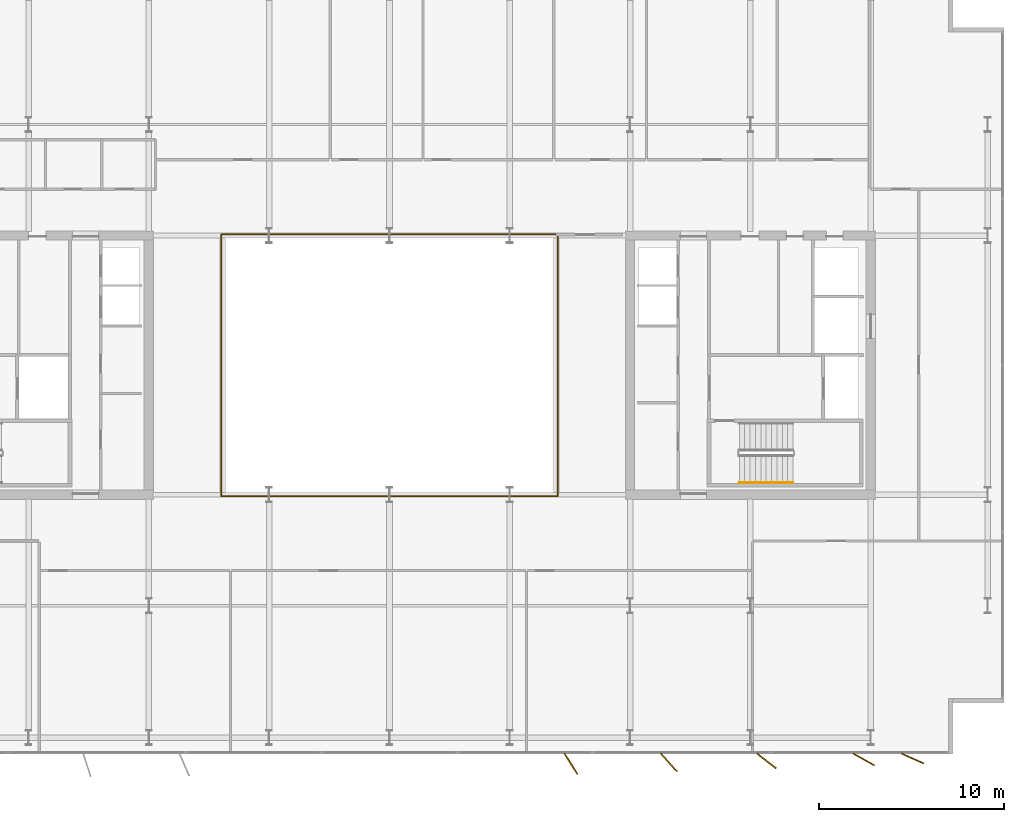
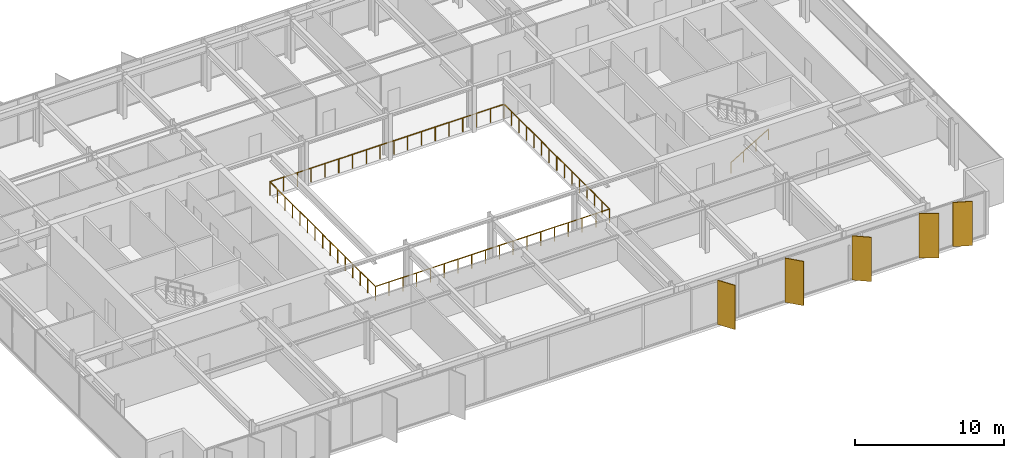
# One storey, part 21 of 23: 5 shading devices, 3 railings.
"""IFC4 building model written with IfcOpenShell, lengths in metres."""

from ifc_helpers import new_model, si_unit, direction, frame, origin, origin_2d, place, context, subcontext, project, spatial, rectangle, circle, extrude, material, layer, layer_set, type_object, element, save


model = new_model("IFC4")

# Units and contexts
model_context = context("Model", 3, precision=1e-05, world=origin(), true_north=direction((0.0, 1.0)))
body_context = subcontext(model_context, "Body", "Model", "MODEL_VIEW")
ifc_project = project(units=[si_unit("LENGTHUNIT", "METRE"), si_unit("AREAUNIT", "SQUARE_METRE"), si_unit("VOLUMEUNIT", "CUBIC_METRE"), si_unit("PLANEANGLEUNIT", "RADIAN"), si_unit("MASSUNIT", "GRAM", prefix="KILO")], contexts=[model_context])

# Site, building, storey
site_placement = place(None, origin())
site = spatial("IfcSite", under=ifc_project, at=site_placement, CompositionType="ELEMENT")
building_placement = place(site_placement, origin())
building = spatial("IfcBuilding", under=site, at=building_placement, Name="Putna Gate Headquarters", CompositionType="ELEMENT")
storey_placement = place(building_placement, frame((0.0, 0.0, 225.199951171875)))
storey = spatial("IfcBuildingStorey", under=building, at=storey_placement, Name="L56", CompositionType="ELEMENT", Elevation=225.199951171875)

# Railings
ifc_material_1 = material(Name="Anodised bronze and laminated glass atrium balustrade", Category="glass")
railing_type_1 = type_object("IfcRailingType", Name="RAIL-ATRIUM-GUARD-1150", PredefinedType="GUARDRAIL", material=ifc_material_1)
railing_1_placement = place(storey_placement, frame((29.919921875, 25.969970703125, 0.0)))
element("IfcRailing", 1, at=railing_1_placement, inside=storey, type_object=railing_type_1, Name="L56 Central Atrium Glazed Balustrade South", PredefinedType="GUARDRAIL", context=body_context, shape_type="SweptSolid", body=[
    extrude(circle(Radius=0.02392578125, at=origin_2d()), frame((0.0, 0.0, 1.1259765625), z_axis=(0.0, -1.0, 0.0), x_axis=(1.0, 0.0, 0.0)), (0.0, 0.0, 1.0), 7.050048828125),
    extrude(circle(Radius=0.02392578125, at=origin_2d()), frame((0.0, -7.050048828125, 1.1259765625), z_axis=(1.0, 0.0, 0.0), x_axis=(0.0, 1.0, 0.0)), (0.0, 0.0, 1.0), 18.16015625),
    extrude(circle(Radius=0.02392578125, at=origin_2d()), frame((18.16015625, -7.050048828125, 1.1259765625), z_axis=(0.0, 1.0, 0.0), x_axis=(-1.0, 0.0, 0.0)), (0.0, 0.0, 1.0), 7.050048828125),
    extrude(circle(Radius=0.02099609375, at=origin_2d()), origin(), (0.0, 0.0, 1.0), 1.101806640625),
    extrude(circle(Radius=0.02099609375, at=origin_2d()), frame((0.0, -1.007080078125, 0.0)), (0.0, 0.0, 1.0), 1.101806640625),
    extrude(circle(Radius=0.02099609375, at=origin_2d()), frame((0.0, -2.014404296875, 0.0)), (0.0, 0.0, 1.0), 1.101806640625),
    extrude(circle(Radius=0.02099609375, at=origin_2d()), frame((0.0, -3.021484375, 0.0)), (0.0, 0.0, 1.0), 1.101806640625),
    extrude(circle(Radius=0.02099609375, at=origin_2d()), frame((0.0, -4.028564453125, 0.0)), (0.0, 0.0, 1.0), 1.101806640625),
    extrude(circle(Radius=0.02099609375, at=origin_2d()), frame((0.0, -5.03564453125, 0.0)), (0.0, 0.0, 1.0), 1.101806640625),
    extrude(circle(Radius=0.02099609375, at=origin_2d()), frame((0.0, -6.04296875, 0.0)), (0.0, 0.0, 1.0), 1.101806640625),
    extrude(circle(Radius=0.02099609375, at=origin_2d()), frame((0.0, -7.050048828125, 0.0)), (0.0, 0.0, 1.0), 1.101806640625),
    extrude(circle(Radius=0.02099609375, at=origin_2d()), frame((1.068359375, -7.050048828125, 0.0)), (0.0, 0.0, 1.0), 1.101806640625),
    extrude(circle(Radius=0.02099609375, at=origin_2d()), frame((2.136474609375, -7.050048828125, 0.0)), (0.0, 0.0, 1.0), 1.101806640625),
    extrude(circle(Radius=0.02099609375, at=origin_2d()), frame((3.204833984375, -7.050048828125, 0.0)), (0.0, 0.0, 1.0), 1.101806640625),
    extrude(circle(Radius=0.02099609375, at=origin_2d()), frame((4.27294921875, -7.050048828125, 0.0)), (0.0, 0.0, 1.0), 1.101806640625),
    extrude(circle(Radius=0.02099609375, at=origin_2d()), frame((5.34130859375, -7.050048828125, 0.0)), (0.0, 0.0, 1.0), 1.101806640625),
    extrude(circle(Radius=0.02099609375, at=origin_2d()), frame((6.409423828125, -7.050048828125, 0.0)), (0.0, 0.0, 1.0), 1.101806640625),
    extrude(circle(Radius=0.02099609375, at=origin_2d()), frame((7.477783203125, -7.050048828125, 0.0)), (0.0, 0.0, 1.0), 1.101806640625),
    extrude(circle(Radius=0.02099609375, at=origin_2d()), frame((8.5458984375, -7.050048828125, 0.0)), (0.0, 0.0, 1.0), 1.101806640625),
    extrude(circle(Radius=0.02099609375, at=origin_2d()), frame((9.6142578125, -7.050048828125, 0.0)), (0.0, 0.0, 1.0), 1.101806640625),
    extrude(circle(Radius=0.02099609375, at=origin_2d()), frame((10.682373046875, -7.050048828125, 0.0)), (0.0, 0.0, 1.0), 1.101806640625),
    extrude(circle(Radius=0.02099609375, at=origin_2d()), frame((11.750732421875, -7.050048828125, 0.0)), (0.0, 0.0, 1.0), 1.101806640625),
    extrude(circle(Radius=0.02099609375, at=origin_2d()), frame((12.81884765625, -7.050048828125, 0.0)), (0.0, 0.0, 1.0), 1.101806640625),
    extrude(circle(Radius=0.02099609375, at=origin_2d()), frame((13.88720703125, -7.050048828125, 0.0)), (0.0, 0.0, 1.0), 1.101806640625),
    extrude(circle(Radius=0.02099609375, at=origin_2d()), frame((14.955322265625, -7.050048828125, 0.0)), (0.0, 0.0, 1.0), 1.101806640625),
    extrude(circle(Radius=0.02099609375, at=origin_2d()), frame((16.023681640625, -7.050048828125, 0.0)), (0.0, 0.0, 1.0), 1.101806640625),
    extrude(circle(Radius=0.02099609375, at=origin_2d()), frame((17.091796875, -7.050048828125, 0.0)), (0.0, 0.0, 1.0), 1.101806640625),
    extrude(circle(Radius=0.02099609375, at=origin_2d()), frame((18.16015625, -7.050048828125, 0.0)), (0.0, 0.0, 1.0), 1.101806640625),
    extrude(circle(Radius=0.02099609375, at=origin_2d()), frame((18.16015625, -6.04296875, 0.0)), (0.0, 0.0, 1.0), 1.101806640625),
    extrude(circle(Radius=0.02099609375, at=origin_2d()), frame((18.16015625, -5.03564453125, 0.0)), (0.0, 0.0, 1.0), 1.101806640625),
    extrude(circle(Radius=0.02099609375, at=origin_2d()), frame((18.16015625, -4.028564453125, 0.0)), (0.0, 0.0, 1.0), 1.101806640625),
    extrude(circle(Radius=0.02099609375, at=origin_2d()), frame((18.16015625, -3.021484375, 0.0)), (0.0, 0.0, 1.0), 1.101806640625),
    extrude(circle(Radius=0.02099609375, at=origin_2d()), frame((18.16015625, -2.014404296875, 0.0)), (0.0, 0.0, 1.0), 1.101806640625),
    extrude(circle(Radius=0.02099609375, at=origin_2d()), frame((18.16015625, -1.007080078125, 0.0)), (0.0, 0.0, 1.0), 1.101806640625),
    extrude(circle(Radius=0.02099609375, at=origin_2d()), frame((18.16015625, 0.0, 0.0)), (0.0, 0.0, 1.0), 1.101806640625),
])
railing_2_placement = place(storey_placement, frame((48.080078125, 26.030029296875, 0.0)))
element("IfcRailing", 2, at=railing_2_placement, inside=storey, type_object=railing_type_1, Name="L56 Central Atrium Glazed Balustrade North", PredefinedType="GUARDRAIL", context=body_context, shape_type="SweptSolid", body=[
    extrude(circle(Radius=0.02392578125, at=origin_2d()), frame((0.0, 0.0, 1.1259765625), z_axis=(0.0, 1.0, 0.0), x_axis=(-1.0, 0.0, 0.0)), (0.0, 0.0, 1.0), 7.050048828125),
    extrude(circle(Radius=0.02392578125, at=origin_2d()), frame((0.0, 7.050048828125, 1.1259765625), z_axis=(-1.0, 0.0, 0.0), x_axis=(0.0, -1.0, 0.0)), (0.0, 0.0, 1.0), 18.16015625),
    extrude(circle(Radius=0.02392578125, at=origin_2d()), frame((-18.16015625, 7.050048828125, 1.1259765625), z_axis=(0.0, -1.0, 0.0), x_axis=(1.0, 0.0, 0.0)), (0.0, 0.0, 1.0), 7.050048828125),
    extrude(circle(Radius=0.02099609375, at=origin_2d()), origin(), (0.0, 0.0, 1.0), 1.101806640625),
    extrude(circle(Radius=0.02099609375, at=origin_2d()), frame((0.0, 1.007080078125, 0.0)), (0.0, 0.0, 1.0), 1.101806640625),
    extrude(circle(Radius=0.02099609375, at=origin_2d()), frame((0.0, 2.014404296875, 0.0)), (0.0, 0.0, 1.0), 1.101806640625),
    extrude(circle(Radius=0.02099609375, at=origin_2d()), frame((0.0, 3.021484375, 0.0)), (0.0, 0.0, 1.0), 1.101806640625),
    extrude(circle(Radius=0.02099609375, at=origin_2d()), frame((0.0, 4.028564453125, 0.0)), (0.0, 0.0, 1.0), 1.101806640625),
    extrude(circle(Radius=0.02099609375, at=origin_2d()), frame((0.0, 5.03564453125, 0.0)), (0.0, 0.0, 1.0), 1.101806640625),
    extrude(circle(Radius=0.02099609375, at=origin_2d()), frame((0.0, 6.04296875, 0.0)), (0.0, 0.0, 1.0), 1.101806640625),
    extrude(circle(Radius=0.02099609375, at=origin_2d()), frame((0.0, 7.050048828125, 0.0)), (0.0, 0.0, 1.0), 1.101806640625),
    extrude(circle(Radius=0.02099609375, at=origin_2d()), frame((-1.068359375, 7.050048828125, 0.0)), (0.0, 0.0, 1.0), 1.101806640625),
    extrude(circle(Radius=0.02099609375, at=origin_2d()), frame((-2.136474609375, 7.050048828125, 0.0)), (0.0, 0.0, 1.0), 1.101806640625),
    extrude(circle(Radius=0.02099609375, at=origin_2d()), frame((-3.204833984375, 7.050048828125, 0.0)), (0.0, 0.0, 1.0), 1.101806640625),
    extrude(circle(Radius=0.02099609375, at=origin_2d()), frame((-4.27294921875, 7.050048828125, 0.0)), (0.0, 0.0, 1.0), 1.101806640625),
    extrude(circle(Radius=0.02099609375, at=origin_2d()), frame((-5.34130859375, 7.050048828125, 0.0)), (0.0, 0.0, 1.0), 1.101806640625),
    extrude(circle(Radius=0.02099609375, at=origin_2d()), frame((-6.409423828125, 7.050048828125, 0.0)), (0.0, 0.0, 1.0), 1.101806640625),
    extrude(circle(Radius=0.02099609375, at=origin_2d()), frame((-7.477783203125, 7.050048828125, 0.0)), (0.0, 0.0, 1.0), 1.101806640625),
    extrude(circle(Radius=0.02099609375, at=origin_2d()), frame((-8.5458984375, 7.050048828125, 0.0)), (0.0, 0.0, 1.0), 1.101806640625),
    extrude(circle(Radius=0.02099609375, at=origin_2d()), frame((-9.6142578125, 7.050048828125, 0.0)), (0.0, 0.0, 1.0), 1.101806640625),
    extrude(circle(Radius=0.02099609375, at=origin_2d()), frame((-10.682373046875, 7.050048828125, 0.0)), (0.0, 0.0, 1.0), 1.101806640625),
    extrude(circle(Radius=0.02099609375, at=origin_2d()), frame((-11.750732421875, 7.050048828125, 0.0)), (0.0, 0.0, 1.0), 1.101806640625),
    extrude(circle(Radius=0.02099609375, at=origin_2d()), frame((-12.81884765625, 7.050048828125, 0.0)), (0.0, 0.0, 1.0), 1.101806640625),
    extrude(circle(Radius=0.02099609375, at=origin_2d()), frame((-13.88720703125, 7.050048828125, 0.0)), (0.0, 0.0, 1.0), 1.101806640625),
    extrude(circle(Radius=0.02099609375, at=origin_2d()), frame((-14.955322265625, 7.050048828125, 0.0)), (0.0, 0.0, 1.0), 1.101806640625),
    extrude(circle(Radius=0.02099609375, at=origin_2d()), frame((-16.023681640625, 7.050048828125, 0.0)), (0.0, 0.0, 1.0), 1.101806640625),
    extrude(circle(Radius=0.02099609375, at=origin_2d()), frame((-17.091796875, 7.050048828125, 0.0)), (0.0, 0.0, 1.0), 1.101806640625),
    extrude(circle(Radius=0.02099609375, at=origin_2d()), frame((-18.16015625, 7.050048828125, 0.0)), (0.0, 0.0, 1.0), 1.101806640625),
    extrude(circle(Radius=0.02099609375, at=origin_2d()), frame((-18.16015625, 6.04296875, 0.0)), (0.0, 0.0, 1.0), 1.101806640625),
    extrude(circle(Radius=0.02099609375, at=origin_2d()), frame((-18.16015625, 5.03564453125, 0.0)), (0.0, 0.0, 1.0), 1.101806640625),
    extrude(circle(Radius=0.02099609375, at=origin_2d()), frame((-18.16015625, 4.028564453125, 0.0)), (0.0, 0.0, 1.0), 1.101806640625),
    extrude(circle(Radius=0.02099609375, at=origin_2d()), frame((-18.16015625, 3.021484375, 0.0)), (0.0, 0.0, 1.0), 1.101806640625),
    extrude(circle(Radius=0.02099609375, at=origin_2d()), frame((-18.16015625, 2.014404296875, 0.0)), (0.0, 0.0, 1.0), 1.101806640625),
    extrude(circle(Radius=0.02099609375, at=origin_2d()), frame((-18.16015625, 1.007080078125, 0.0)), (0.0, 0.0, 1.0), 1.101806640625),
    extrude(circle(Radius=0.02099609375, at=origin_2d()), frame((-18.16015625, 0.0, 0.0)), (0.0, 0.0, 1.0), 1.101806640625),
])
ifc_material_2 = material(Name="Brushed stainless steel handrail", Category="steel")
railing_type_2 = type_object("IfcRailingType", Name="RAIL-STAIR-HAND-900", PredefinedType="HANDRAIL", material=ifc_material_2)
railing_3_placement = place(storey_placement, frame((57.89990234375, 19.64990234375, 0.1728515625)))
element("IfcRailing", 3, at=railing_3_placement, inside=storey, type_object=railing_type_2, Name="L56 ST2 stair handrail 1", PredefinedType="HANDRAIL", context=body_context, shape_type="SweptSolid", body=[
    extrude(circle(Radius=0.02392578125, at=origin_2d()), frame((0.0, 0.0, 0.8759765625), z_axis=(0.859160404282, 0.0, 0.51170636083), x_axis=(0.0, 1.0, 0.0)), (0.0, 0.0, 1.0), 3.37548828125),
    extrude(circle(Radius=0.02099609375, at=origin_2d()), origin(), (0.0, 0.0, 1.0), 0.851806640625),
    extrude(circle(Radius=0.02099609375, at=origin_2d()), frame((0.966796875, 0.0, 0.57568359375)), (0.0, 0.0, 1.0), 0.851806640625),
    extrude(circle(Radius=0.02099609375, at=origin_2d()), frame((1.933349609375, 0.0, 1.151611328125)), (0.0, 0.0, 1.0), 0.851806640625),
    extrude(circle(Radius=0.02099609375, at=origin_2d()), frame((2.900146484375, 0.0, 1.727294921875)), (0.0, 0.0, 1.0), 0.851806640625),
])

# Shading devices
ifc_material_3 = material(Name="Anodised architectural bronze aluminium fin", Category="aluminium")
ifc_layer = layer(ifc_material_3, 0.06494140625)
ifc_layer_set = layer_set([ifc_layer], Name="Anodised architectural bronze aluminium fin")
shading_device_type = type_object("IfcShadingDeviceType", Name="SHADE-BRONZE-FIN-1320", PredefinedType="USERDEFINED", material=ifc_layer_set)
for number, where, z_axis, x_axis, name in (
    (4, (48.80029296875, 4.465576171875, -0.02001953125), (0.0, 0.0, 1.0), (0.530659123936, -0.847585331506, 0.0), "L56 Bronze Vertical Shading Fin S7"),
    (5, (54.091552734375, 4.534423828125, -0.02001953125), (0.0, 0.0, 1.0), (0.669130606359, -0.743144825477, 0.0), "L56 Bronze Vertical Shading Fin S8"),
    (6, (59.36962890625, 4.6181640625, -0.02001953125), (0.0, 0.0, 1.0), (0.787473187632, -0.616348909921, 0.0), "L56 Bronze Vertical Shading Fin S9"),
    (7, (64.623779296875, 4.69873046875, -0.02001953125), (0.0, 0.0, 1.0), (0.869322458298, -0.494245347472, 0.0), "L56 Bronze Vertical Shading Fin S10"),
    (8, (67.2529296875, 4.7568359375, -0.02001953125), (0.0, 0.0, 1.0), (0.913687379856, -0.40641773078, 0.0), "L56 Bronze Vertical Shading Fin S11"),
):
    element("IfcShadingDevice", number, at=place(storey_placement, frame(where, z_axis=z_axis, x_axis=x_axis)), inside=storey, type_object=shading_device_type, Name=name, ObjectType="FIN", PredefinedType="USERDEFINED", context=body_context, shape_type="SweptSolid", body=[
        extrude(rectangle(XDim=1.320068359375, YDim=0.06494140625, at=origin_2d()), origin(), (0.0, 0.0, 1.0), 3.6201171875),
    ])

save(model, "model.ifc")
